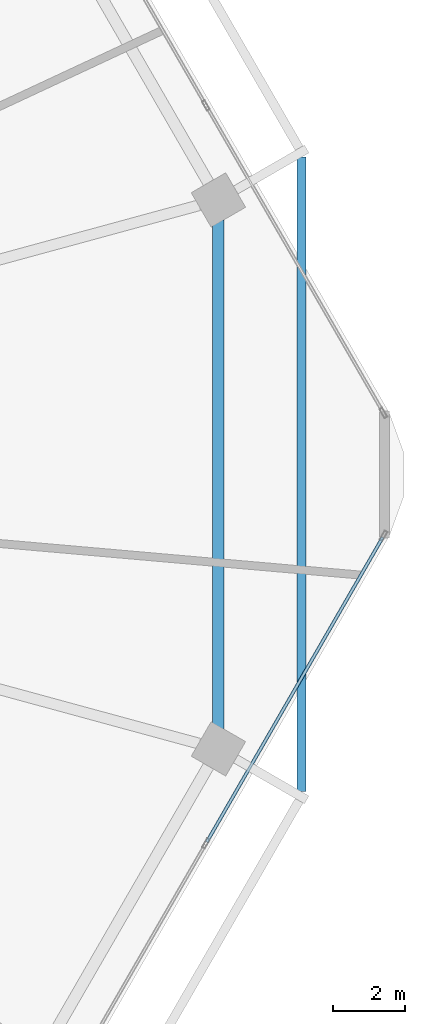
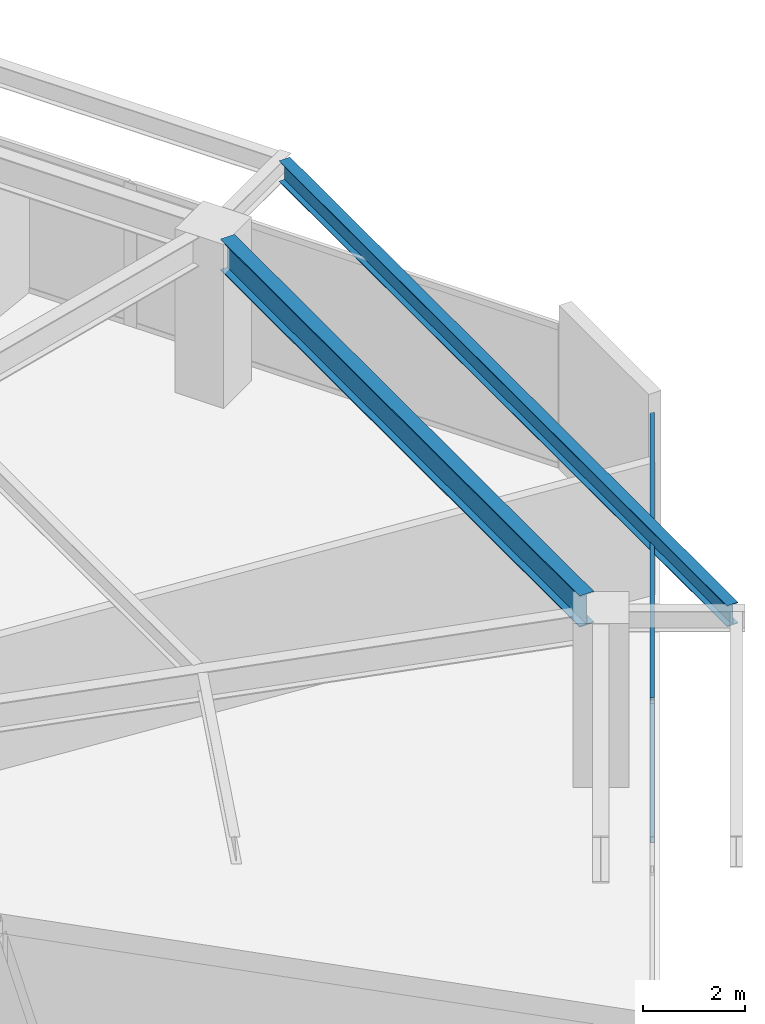
# One storey, part 12 of 28: 2 beams, 2 members, 1 element without a shape of its own.
"""IFC4 building model written with IfcOpenShell, lengths in metres."""

from ifc_helpers import new_model, si_unit, direction, frame, origin, origin_2d, place, context, subcontext, project, spatial, hollow_rectangle, i_section, extrude, material, material_profile, profile_set, type_object, element, aggregate, save


model = new_model("IFC4")

# Units and contexts
model_context = context("Model", 3, precision=1e-05, world=origin(), true_north=direction((0.0, 1.0)))
body_context = subcontext(model_context, "Body", "Model", "MODEL_VIEW")
ifc_project = project(units=[si_unit("LENGTHUNIT", "METRE"), si_unit("AREAUNIT", "SQUARE_METRE"), si_unit("VOLUMEUNIT", "CUBIC_METRE"), si_unit("PLANEANGLEUNIT", "RADIAN"), si_unit("MASSUNIT", "GRAM", prefix="KILO")], contexts=[model_context])

# Site, building, storey
site_placement = place(None, origin())
site = spatial("IfcSite", under=ifc_project, at=site_placement, CompositionType="ELEMENT")
building_placement = place(site_placement, origin())
building = spatial("IfcBuilding", under=site, at=building_placement, Name="Zuhravey Tower", CompositionType="ELEMENT")
storey_placement = place(building_placement, frame((0.0, 0.0, 79.199951171875)))
storey = spatial("IfcBuildingStorey", under=building, at=storey_placement, Name="L19", CompositionType="ELEMENT", Elevation=79.199951171875)

# Curtain wall, members
ifc_material_1 = material(Name="Thermally broken anodised aluminium", Category="aluminium")
curtain_wall_type = type_object("IfcCurtainWallType", Name="School Low-E Unitised Curtain Wall CW1", PredefinedType="NOTDEFINED", material=ifc_material_1)
curtain_wall_placement = place(storey_placement, origin())
curtain_wall = element("IfcCurtainWall", 1, at=curtain_wall_placement, inside=storey, type_object=curtain_wall_type, Name="L19 CW1 CW-L19-F6-1", PredefinedType="NOTDEFINED")
ifc_material_2 = material(Name="Anodised aluminium", Category="aluminium")
ifc_material_profile_1 = material_profile(ifc_material_2, hollow_rectangle(XDim=0.090087890625, YDim=0.14990234375, WallThickness=0.0048828125, at=origin_2d()), Name="ALU-RHS-90x150x5")
ifc_profile_set_1 = profile_set([ifc_material_profile_1], Name="Anodised aluminium")
member_type = type_object("IfcMemberType", Name="Curtain-Wall Transom 90x150", PredefinedType="USERDEFINED", material=ifc_profile_set_1)
member_1_placement = place(storey_placement, frame((68.43359375, 30.259521484375, 0.045166015625), z_axis=(-0.500008393077, -0.866020557985, 0.0), x_axis=(0.866020557985, -0.500008393077, 0.0)))
member_1 = element("IfcMember", 2, at=member_1_placement, type_object=member_type, Name="CW1 transom 1.1", ObjectType="TRANSOM", PredefinedType="USERDEFINED", context=body_context, shape_type="SweptSolid", body=[
    extrude(hollow_rectangle(XDim=0.090087890625, YDim=0.14990234375, WallThickness=0.0048828125, at=origin_2d()), origin(), (0.0, 0.0, 1.0), 9.731201171875),
])
member_2_placement = place(storey_placement, frame((68.43359375, 30.259521484375, 3.375), z_axis=(-0.500008393077, -0.866020557985, 0.0), x_axis=(0.866020557985, -0.500008393077, 0.0)))
member_2 = element("IfcMember", 3, at=member_2_placement, type_object=member_type, Name="CW1 transom 1.2", ObjectType="TRANSOM", PredefinedType="USERDEFINED", context=body_context, shape_type="SweptSolid", body=[
    extrude(hollow_rectangle(XDim=0.090087890625, YDim=0.14990234375, WallThickness=0.0048828125, at=origin_2d()), origin(), (0.0, 0.0, 1.0), 9.731201171875),
])
aggregate(curtain_wall, [member_1, member_2])

# Beams
ifc_material_3 = material(Name="Steel SM355", Category="steel")
ifc_material_profile_2 = material_profile(ifc_material_3, i_section(OverallWidth=0.320068359375, OverallDepth=0.75, WebThickness=0.013916015625, FlangeThickness=0.02490234375, at=origin_2d()), Name="H-750x320x14x25")
ifc_profile_set_2 = profile_set([ifc_material_profile_2], Name="Steel SM355")
beam_type_1 = type_object("IfcBeamType", Name="Perimeter Ring Beam H750x320", PredefinedType="BEAM", material=ifc_profile_set_2)
beam_1_placement = place(storey_placement, frame((63.88916015625, 24.96142578125, 3.545166015625), z_axis=(0.0, 1.0, 0.0), x_axis=(-1.0, 0.0, 0.0)))
element("IfcBeam", 4, at=beam_1_placement, inside=storey, type_object=beam_type_1, Name="L19 PB1 BM-L19-PB-12", PredefinedType="BEAM", context=body_context, shape_type="SweptSolid", body=[
    extrude(i_section(OverallWidth=0.320068359375, OverallDepth=0.75, WebThickness=0.013916015625, FlangeThickness=0.02490234375, at=origin_2d()), origin(), (0.0, 0.0, 1.0), 14.0771484375),
])
ifc_material_profile_3 = material_profile(ifc_material_3, i_section(OverallWidth=0.25, OverallDepth=0.5, WebThickness=0.010009765625, FlangeThickness=0.01611328125, at=origin_2d()), Name="H-500x250x10x16")
ifc_profile_set_3 = profile_set([ifc_material_profile_3], Name="Steel SM355")
beam_type_2 = type_object("IfcBeamType", Name="Tray Cantilever Spandrel H500x250", PredefinedType="SPANDREL", material=ifc_profile_set_3)
beam_2_placement = place(storey_placement, frame((66.18408203125, 23.223388671875, 3.670166015625), z_axis=(0.0, 1.0, 0.0), x_axis=(-1.0, 0.0, 0.0)))
element("IfcBeam", 5, at=beam_2_placement, inside=storey, type_object=beam_type_2, Name="L19 Sky-Tray Edge Spandrel TSB1-12", PredefinedType="SPANDREL", context=body_context, shape_type="SweptSolid", body=[
    extrude(i_section(OverallWidth=0.25, OverallDepth=0.5, WebThickness=0.010009765625, FlangeThickness=0.01611328125, at=origin_2d()), origin(), (0.0, 0.0, 1.0), 17.55322265625),
])

save(model, "model.ifc")
